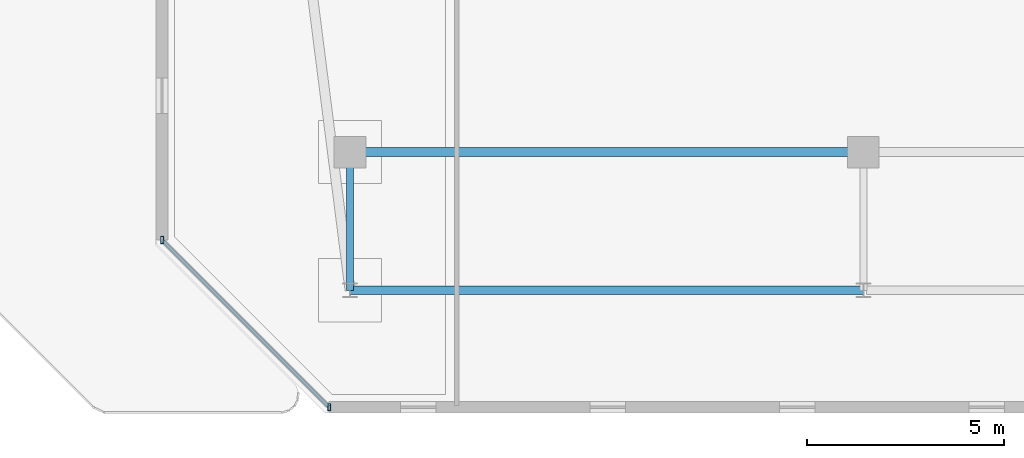
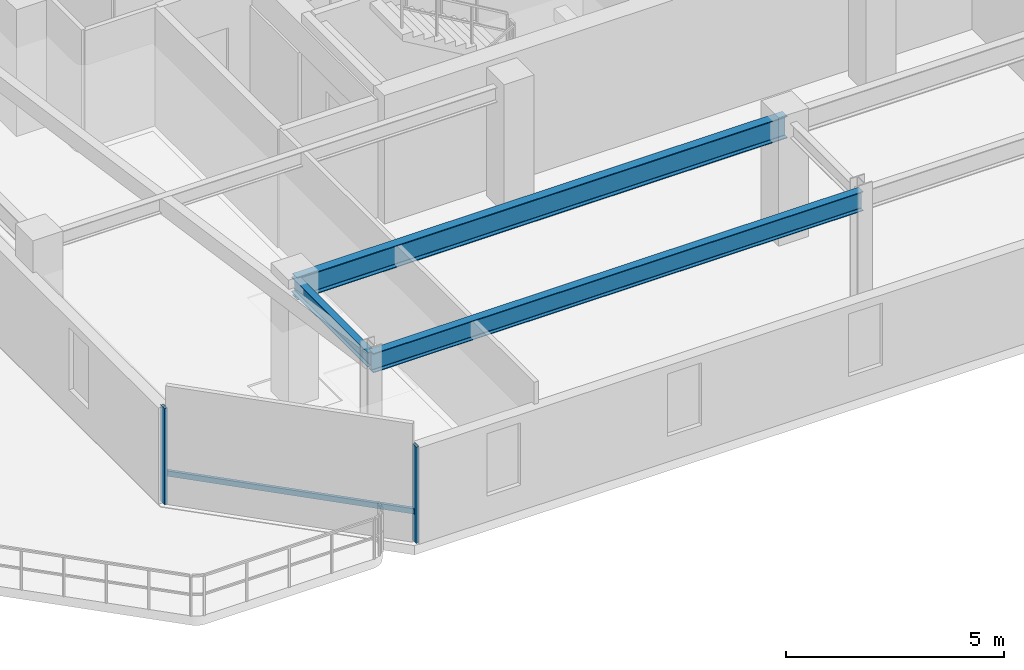
# One storey, part 3 of 31: 3 beams, 3 members, 1 element without a shape of its own.
"""IFC4 building model written with IfcOpenShell, lengths in metres."""

from ifc_helpers import new_model, si_unit, direction, frame, origin, origin_2d, place, context, subcontext, project, spatial, hollow_rectangle, i_section, extrude, material, material_profile, profile_set, type_object, element, aggregate, save


model = new_model("IFC4")

# Units and contexts
model_context = context("Model", 3, precision=1e-05, world=origin(), true_north=direction((0.0, 1.0)))
body_context = subcontext(model_context, "Body", "Model", "MODEL_VIEW")
ifc_project = project(units=[si_unit("LENGTHUNIT", "METRE"), si_unit("AREAUNIT", "SQUARE_METRE"), si_unit("VOLUMEUNIT", "CUBIC_METRE"), si_unit("PLANEANGLEUNIT", "RADIAN"), si_unit("MASSUNIT", "GRAM", prefix="KILO")], contexts=[model_context])

# Site, building, storey
site_placement = place(None, origin())
site = spatial("IfcSite", under=ifc_project, at=site_placement, CompositionType="ELEMENT")
building_placement = place(site_placement, origin())
building = spatial("IfcBuilding", under=site, at=building_placement, Name="Thornwick Lancets Civic Towers", CompositionType="ELEMENT")
storey_placement = place(building_placement, frame((0.0, 0.0, 254.699951171875)))
storey = spatial("IfcBuildingStorey", under=building, at=storey_placement, Name="L68", CompositionType="ELEMENT", Elevation=254.699951171875)

# Beams
ifc_material_1 = material(Name="Steel S355JR", Category="steel")
ifc_material_profile_1 = material_profile(ifc_material_1, i_section(OverallWidth=0.210693359375, OverallDepth=0.53955078125, WebThickness=0.01171875, FlangeThickness=0.018798828125, FilletRadius=0.0126953125, at=origin_2d()), Name="UKB 533x210x109")
ifc_profile_set_1 = profile_set([ifc_material_profile_1], Name="Steel S355JR")
beam_type_1 = type_object("IfcBeamType", Name="BM_EDGE_533_109", PredefinedType="SPANDREL", material=ifc_profile_set_1)
beam_1_placement = place(storey_placement, frame((12.5, 6.199951171875, 3.0703125), z_axis=(1.0, 0.0, 0.0), x_axis=(0.0, 1.0, 0.0)))
element("IfcBeam", 1, at=beam_1_placement, inside=storey, type_object=beam_type_1, Name="BM-EDGE-L68-A-S0-1", PredefinedType="SPANDREL", context=body_context, shape_type="SweptSolid", body=[
    extrude(i_section(OverallWidth=0.210693359375, OverallDepth=0.53955078125, WebThickness=0.01171875, FlangeThickness=0.018798828125, FilletRadius=0.0126953125, at=origin_2d()), origin(), (0.0, 0.0, 1.0), 13.0),
])
ifc_material_profile_2 = material_profile(ifc_material_1, i_section(OverallWidth=0.230224609375, OverallDepth=0.6171875, WebThickness=0.01318359375, FlangeThickness=0.022216796875, FilletRadius=0.0126953125, at=origin_2d()), Name="UKB 610x229x140")
ifc_profile_set_2 = profile_set([ifc_material_profile_2], Name="Steel S355JR")
beam_type_2 = type_object("IfcBeamType", Name="BM_GIRD_610_140", PredefinedType="BEAM", material=ifc_profile_set_2)
beam_2_placement = place(storey_placement, frame((12.5, 9.699951171875, 3.031494140625), z_axis=(1.0, 0.0, 0.0), x_axis=(0.0, 1.0, 0.0)))
element("IfcBeam", 2, at=beam_2_placement, inside=storey, type_object=beam_type_2, Name="BM-SPINE-L68-A-0-1", PredefinedType="BEAM", context=body_context, shape_type="SweptSolid", body=[
    extrude(i_section(OverallWidth=0.230224609375, OverallDepth=0.6171875, WebThickness=0.01318359375, FlangeThickness=0.022216796875, FilletRadius=0.0126953125, at=origin_2d()), origin(), (0.0, 0.0, 1.0), 13.0),
])
ifc_material_profile_3 = material_profile(ifc_material_1, i_section(OverallWidth=0.179443359375, OverallDepth=0.412841796875, WebThickness=0.009521484375, FlangeThickness=0.01611328125, FilletRadius=0.01025390625, at=origin_2d()), Name="UKB 406x178x74")
ifc_profile_set_3 = profile_set([ifc_material_profile_3], Name="Steel S355JR")
beam_type_3 = type_object("IfcBeamType", Name="BM_JOIST_406_74", PredefinedType="JOIST", material=ifc_profile_set_3)
beam_3_placement = place(storey_placement, frame((12.5, 9.699951171875, 3.133544921875), z_axis=(0.0, -1.0, 0.0), x_axis=(1.0, 0.0, 0.0)))
element("IfcBeam", 3, at=beam_3_placement, inside=storey, type_object=beam_type_3, Name="BM-RAD-L68-A01", PredefinedType="JOIST", context=body_context, shape_type="SweptSolid", body=[
    extrude(i_section(OverallWidth=0.179443359375, OverallDepth=0.412841796875, WebThickness=0.009521484375, FlangeThickness=0.01611328125, FilletRadius=0.01025390625, at=origin_2d()), origin(), (0.0, 0.0, 1.0), 3.5),
])

# Curtain wall, members
ifc_material_2 = material(Name="High-zone chamfered-corner unitised glass curtain wall", Category="glass")
curtain_wall_type = type_object("IfcCurtainWallType", Name="CW_SYS_05", PredefinedType="NOTDEFINED", material=ifc_material_2)
curtain_wall_placement = place(storey_placement, origin())
curtain_wall = element("IfcCurtainWall", 4, at=curtain_wall_placement, inside=storey, type_object=curtain_wall_type, Name="L68 Curtain Wall CW-L68-A-E7", PredefinedType="NOTDEFINED")
ifc_material_3 = material(Name="Thermally broken bronze aluminium S355", Category="steel")
ifc_material_profile_4 = material_profile(ifc_material_3, hollow_rectangle(XDim=0.074951171875, YDim=0.179931640625, WallThickness=0.006103515625, at=origin_2d()), Name="RHS 180x75x6")
ifc_profile_set_4 = profile_set([ifc_material_profile_4], Name="Thermally broken bronze aluminium S355")
member_type_1 = type_object("IfcMemberType", Name="CW_MUL_180", PredefinedType="MULLION", material=ifc_profile_set_4)
member_1_placement = place(storey_placement, frame((7.74072265625, 7.47412109375, 0.0), z_axis=(0.0, 0.0, 1.0), x_axis=(1.0, 0.0, 0.0)))
member_1 = element("IfcMember", 5, at=member_1_placement, type_object=member_type_1, Name="CW-L68-A-E7 Mullion 0", PredefinedType="MULLION", context=body_context, shape_type="SweptSolid", body=[
    extrude(hollow_rectangle(XDim=0.074951171875, YDim=0.179931640625, WallThickness=0.006103515625, at=origin_2d()), origin(), (0.0, 0.0, 1.0), 2.699951171875),
])
member_2_placement = place(storey_placement, frame((11.97412109375, 3.24072265625, 0.0), z_axis=(0.0, 0.0, 1.0), x_axis=(1.0, 0.0, 0.0)))
member_2 = element("IfcMember", 6, at=member_2_placement, type_object=member_type_1, Name="CW-L68-A-E7 Mullion 1", PredefinedType="MULLION", context=body_context, shape_type="SweptSolid", body=[
    extrude(hollow_rectangle(XDim=0.074951171875, YDim=0.179931640625, WallThickness=0.006103515625, at=origin_2d()), origin(), (0.0, 0.0, 1.0), 2.699951171875),
])
ifc_material_profile_5 = material_profile(ifc_material_3, hollow_rectangle(XDim=0.074951171875, YDim=0.14990234375, WallThickness=0.0048828125, at=origin_2d()), Name="RHS 150x75x5")
ifc_profile_set_5 = profile_set([ifc_material_profile_5], Name="Thermally broken bronze aluminium S355")
member_type_2 = type_object("IfcMemberType", Name="CW_TRN_150", PredefinedType="USERDEFINED", material=ifc_profile_set_5)
member_3_placement = place(storey_placement, frame((7.7548828125, 7.4599609375, 0.85009765625), z_axis=(0.707106781187, -0.707106781187, 0.0), x_axis=(0.707106781187, 0.707106781187, 0.0)))
member_3 = element("IfcMember", 7, at=member_3_placement, type_object=member_type_2, Name="CW-L68-A-E7 Transom 0", ObjectType="TRANSOM", PredefinedType="USERDEFINED", context=body_context, shape_type="SweptSolid", body=[
    extrude(hollow_rectangle(XDim=0.074951171875, YDim=0.14990234375, WallThickness=0.0048828125, at=origin_2d()), origin(), (0.0, 0.0, 1.0), 5.94677734375),
])
aggregate(curtain_wall, [member_1, member_2, member_3])

save(model, "model.ifc")
